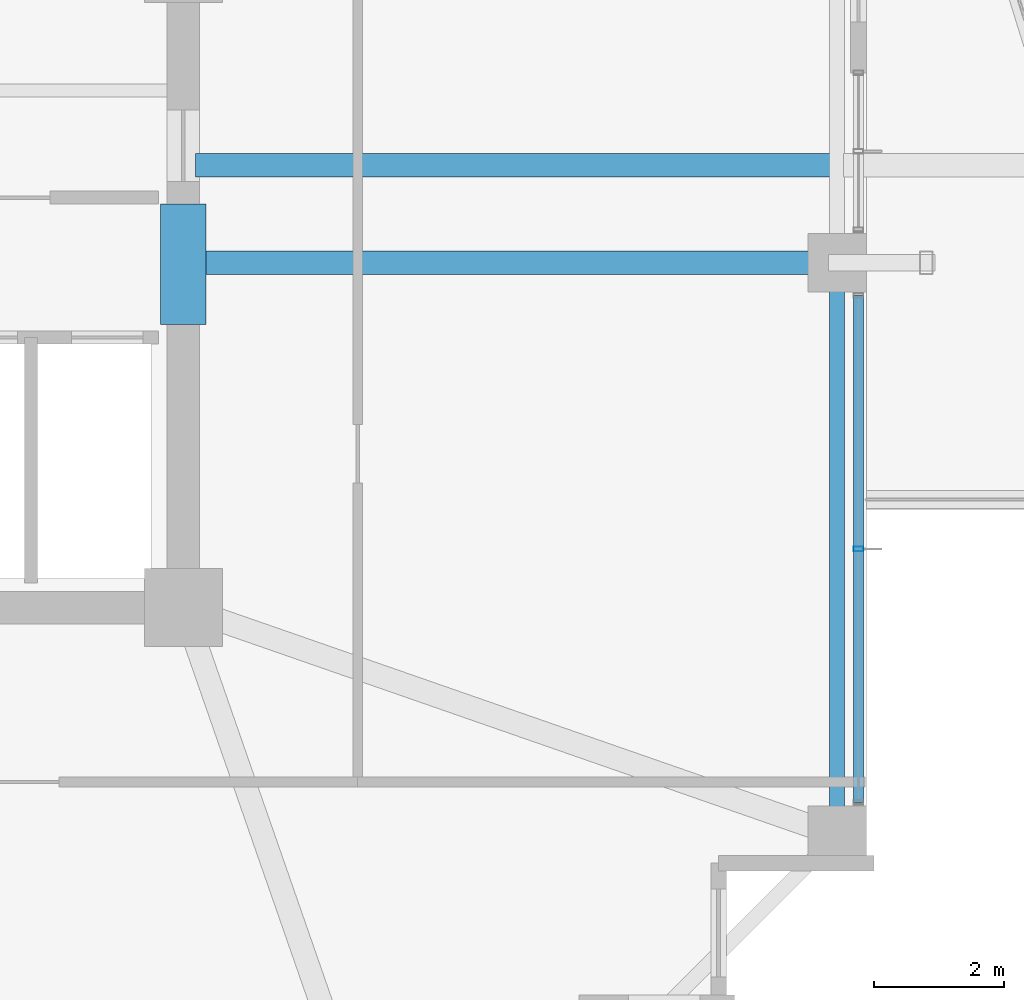
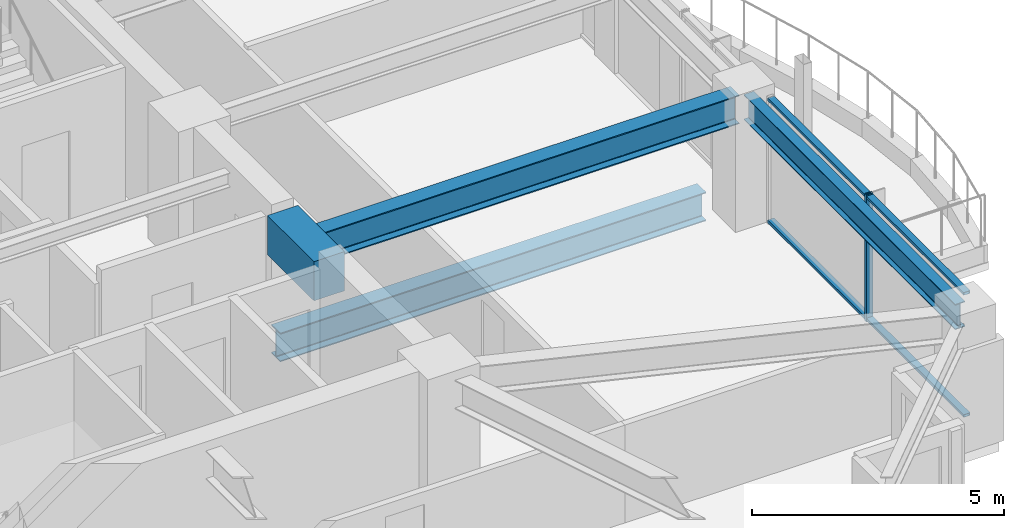
# One storey, part 12 of 35: 4 beams, 3 members, 1 element without a shape of its own.
"""IFC4 building model written with IfcOpenShell, lengths in metres."""

from ifc_helpers import new_model, si_unit, direction, frame, origin, origin_2d, place, context, subcontext, project, spatial, rectangle, hollow_rectangle, i_section, extrude, material, material_profile, profile_set, type_object, element, aggregate, save


model = new_model("IFC4")

# Units and contexts
model_context = context("Model", 3, precision=1e-05, world=origin(), true_north=direction((0.0, 1.0)))
body_context = subcontext(model_context, "Body", "Model", "MODEL_VIEW")
ifc_project = project(units=[si_unit("LENGTHUNIT", "METRE"), si_unit("AREAUNIT", "SQUARE_METRE"), si_unit("VOLUMEUNIT", "CUBIC_METRE"), si_unit("PLANEANGLEUNIT", "RADIAN"), si_unit("MASSUNIT", "GRAM", prefix="KILO")], contexts=[model_context])

# Site, building, storey
site_placement = place(None, origin())
site = spatial("IfcSite", under=ifc_project, at=site_placement, CompositionType="ELEMENT")
building_placement = place(site_placement, origin())
building = spatial("IfcBuilding", under=site, at=building_placement, Name="Kolvaren Belvedere", CompositionType="ELEMENT")
storey_placement = place(building_placement, frame((0.0, 0.0, 183.300048828125)))
storey = spatial("IfcBuildingStorey", under=building, at=storey_placement, Name="L53", CompositionType="ELEMENT", Elevation=183.300048828125)

# Beams
ifc_material_1 = material(Name="Structural steel ASTM A992 Grade 50", Category="steel")
ifc_material_profile_1 = material_profile(ifc_material_1, i_section(OverallWidth=0.35498046875, OverallDepth=0.696044921875, WebThickness=0.015380859375, FlangeThickness=0.02490234375, FilletRadius=0.02197265625, at=origin_2d()), Name="W27X146")
ifc_profile_set_1 = profile_set([ifc_material_profile_1], Name="Structural steel ASTM A992 Grade 50")
beam_type_1 = type_object("IfcBeamType", Name="BM-GIRD-W27X146", PredefinedType="BEAM", material=ifc_profile_set_1)
beam_1_placement = place(storey_placement, frame((10.090087890625, -3.10009765625, -0.568115234375), z_axis=(1.0, 0.0, 0.0), x_axis=(0.0, 1.0, 0.0)))
element("IfcBeam", 1, at=beam_1_placement, inside=storey, type_object=beam_type_1, Name="L53 Balcony Interior Back-Span Girder BAL-E-1", PredefinedType="BEAM", context=body_context, shape_type="SweptSolid", body=[
    extrude(i_section(OverallWidth=0.35498046875, OverallDepth=0.696044921875, WebThickness=0.015380859375, FlangeThickness=0.02490234375, FilletRadius=0.02197265625, at=origin_2d()), origin(), (0.0, 0.0, 1.0), 9.764892578125),
])
beam_2_placement = place(storey_placement, frame((10.14990234375, -4.60009765625, 2.73193359375), z_axis=(1.0, 0.0, 0.0), x_axis=(0.0, 1.0, 0.0)))
element("IfcBeam", 2, at=beam_2_placement, inside=storey, type_object=beam_type_1, Name="L53 East Radial Girder M", PredefinedType="BEAM", context=body_context, shape_type="SweptSolid", body=[
    extrude(i_section(OverallWidth=0.35498046875, OverallDepth=0.696044921875, WebThickness=0.015380859375, FlangeThickness=0.02490234375, FilletRadius=0.02197265625, at=origin_2d()), origin(), (0.0, 0.0, 1.0), 9.59765625),
])
ifc_material_2 = material(Name="Concrete C60/75", Category="concrete")
ifc_material_profile_2 = material_profile(ifc_material_2, rectangle(XDim=0.699951171875, YDim=0.949951171875, at=origin_2d()), Name="RC 700X950")
ifc_profile_set_2 = profile_set([ifc_material_profile_2], Name="Concrete C60/75")
beam_type_2 = type_object("IfcBeamType", Name="BM-LINT-950", PredefinedType="LINTEL", material=ifc_profile_set_2)
beam_3_placement = place(storey_placement, frame((9.89990234375, -5.550048828125, 2.60498046875), z_axis=(0.0, 1.0, 0.0), x_axis=(-1.0, 0.0, 0.0)))
element("IfcBeam", 3, at=beam_3_placement, inside=storey, type_object=beam_type_2, Name="L53 East Core Coupling Lintel", PredefinedType="LINTEL", context=body_context, shape_type="SweptSolid", body=[
    extrude(rectangle(XDim=0.699951171875, YDim=0.949951171875, at=origin_2d()), origin(), (0.0, 0.0, 1.0), 1.85009765625),
])
ifc_material_3 = material(Name="Structural steel ASTM A992 Grade 50", Category="steel")
ifc_material_profile_3 = material_profile(ifc_material_3, i_section(OverallWidth=0.22900390625, OverallDepth=0.612060546875, WebThickness=0.011962890625, FlangeThickness=0.01953125, FilletRadius=0.01806640625, at=origin_2d()), Name="W24X84")
ifc_profile_set_3 = profile_set([ifc_material_profile_3], Name="Structural steel ASTM A992 Grade 50")
beam_type_3 = type_object("IfcBeamType", Name="BM-SPAN-W24X84", PredefinedType="SPANDREL", material=ifc_profile_set_3)
beam_4_placement = place(storey_placement, frame((19.949951171875, -13.197509765625, 2.77392578125), z_axis=(0.0, 1.0, 0.0), x_axis=(-1.0, 0.0, 0.0)))
element("IfcBeam", 4, at=beam_4_placement, inside=storey, type_object=beam_type_3, Name="L53 Perimeter Spandrel E1-E2", PredefinedType="SPANDREL", context=body_context, shape_type="SweptSolid", body=[
    extrude(i_section(OverallWidth=0.22900390625, OverallDepth=0.612060546875, WebThickness=0.011962890625, FlangeThickness=0.01953125, FilletRadius=0.01806640625, at=origin_2d()), origin(), (0.0, 0.0, 1.0), 8.39501953125),
])

# Curtain wall, members
ifc_material_4 = material(Name="Anodised pale-metal aluminium AA 6063-T6", Category="aluminium")
curtain_wall_type = type_object("IfcCurtainWallType", Name="CW-Z5-HIGH", PredefinedType="NOTDEFINED", material=ifc_material_4)
curtain_wall_placement = place(storey_placement, origin())
curtain_wall = element("IfcCurtainWall", 5, at=curtain_wall_placement, inside=storey, type_object=curtain_wall_type, Name="L53 Unitised Curtain Wall FCW-L53-E2-B2", PredefinedType="NOTDEFINED")
ifc_material_5 = material(Name="Anodised pale-metal aluminium AA 6063-T6", Category="aluminium")
ifc_material_profile_4 = material_profile(ifc_material_5, hollow_rectangle(XDim=0.070068359375, YDim=0.14990234375, WallThickness=0.004150390625, at=origin_2d()), Name="ALU-MUL-150X70")
ifc_profile_set_4 = profile_set([ifc_material_profile_4], Name="Anodised pale-metal aluminium AA 6063-T6")
member_type_1 = type_object("IfcMemberType", Name="CW-MUL-150", PredefinedType="MULLION", material=ifc_profile_set_4)
member_1_placement = place(storey_placement, frame((20.280029296875, -9.0, 0.0), z_axis=(0.0, 0.0, 1.0), x_axis=(0.0, 1.0, 0.0)))
member_1 = element("IfcMember", 6, at=member_1_placement, type_object=member_type_1, Name="FCW-L53-E2-B2 Unitised Mullion 2", PredefinedType="MULLION", context=body_context, shape_type="SweptSolid", body=[
    extrude(hollow_rectangle(XDim=0.070068359375, YDim=0.14990234375, WallThickness=0.004150390625, at=origin_2d()), origin(), (0.0, 0.0, 1.0), 3.079833984375),
])
ifc_material_6 = material(Name="Anodised pale-metal aluminium AA 6063-T6", Category="aluminium")
ifc_material_profile_5 = material_profile(ifc_material_6, hollow_rectangle(XDim=0.06494140625, YDim=0.14990234375, WallThickness=0.00390625, at=origin_2d()), Name="ALU-TRN-150X65")
ifc_profile_set_5 = profile_set([ifc_material_profile_5], Name="Anodised pale-metal aluminium AA 6063-T6")
member_type_2 = type_object("IfcMemberType", Name="CW-TRN-150", PredefinedType="USERDEFINED", material=ifc_profile_set_5)
member_2_placement = place(storey_placement, frame((20.280029296875, -5.10498046875, 0.06005859375), z_axis=(0.0, -1.0, 0.0), x_axis=(0.0, 0.0, 1.0)))
member_2 = element("IfcMember", 7, at=member_2_placement, type_object=member_type_2, Name="FCW-L53-E2-B2 Sill Transom", ObjectType="TRANSOM", PredefinedType="USERDEFINED", context=body_context, shape_type="SweptSolid", body=[
    extrude(hollow_rectangle(XDim=0.06494140625, YDim=0.14990234375, WallThickness=0.00390625, at=origin_2d()), origin(), (0.0, 0.0, 1.0), 7.7900390625),
])
member_3_placement = place(storey_placement, frame((20.280029296875, -5.10498046875, 3.02001953125), z_axis=(0.0, -1.0, 0.0), x_axis=(0.0, 0.0, 1.0)))
member_3 = element("IfcMember", 8, at=member_3_placement, type_object=member_type_2, Name="FCW-L53-E2-B2 Head Transom", ObjectType="TRANSOM", PredefinedType="USERDEFINED", context=body_context, shape_type="SweptSolid", body=[
    extrude(hollow_rectangle(XDim=0.06494140625, YDim=0.14990234375, WallThickness=0.00390625, at=origin_2d()), origin(), (0.0, 0.0, 1.0), 7.7900390625),
])
aggregate(curtain_wall, [member_1, member_2, member_3])

save(model, "model.ifc")
